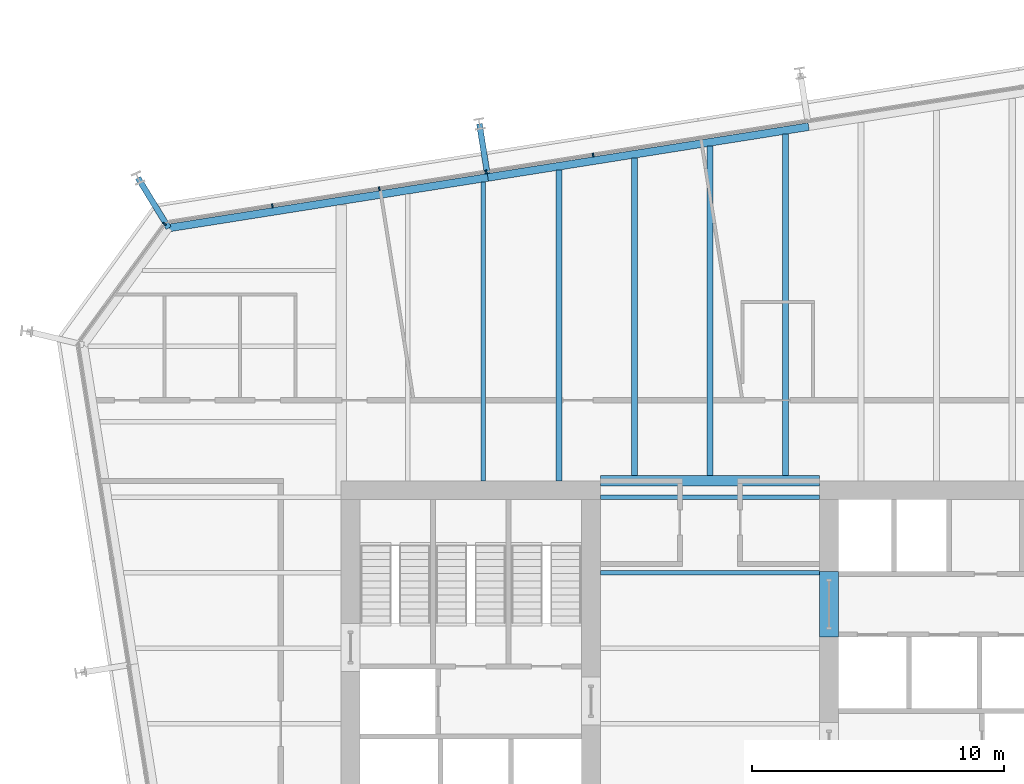
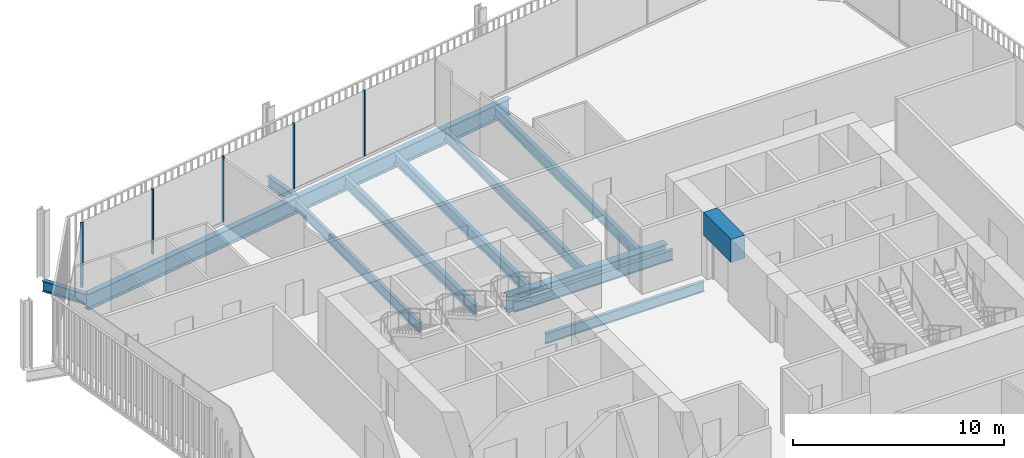
# One storey, part 11 of 21: 13 beams, 5 members, 2 elements without a shape of their own.
"""IFC4 building model written with IfcOpenShell, lengths in metres."""

from ifc_helpers import new_model, si_unit, direction, frame, origin, origin_2d, place, context, subcontext, project, spatial, rectangle, i_section, extrude, material, layer, layer_set, material_profile, profile_set, type_object, element, aggregate, save


model = new_model("IFC4")

# Units and contexts
model_context = context("Model", 3, precision=1e-05, world=origin(), true_north=direction((0.0, 1.0)))
body_context = subcontext(model_context, "Body", "Model", "MODEL_VIEW")
ifc_project = project(units=[si_unit("LENGTHUNIT", "METRE"), si_unit("AREAUNIT", "SQUARE_METRE"), si_unit("VOLUMEUNIT", "CUBIC_METRE"), si_unit("PLANEANGLEUNIT", "RADIAN"), si_unit("MASSUNIT", "GRAM", prefix="KILO")], contexts=[model_context])

# Site, building, storey
site_placement = place(None, origin())
site = spatial("IfcSite", under=ifc_project, at=site_placement, CompositionType="ELEMENT")
building_placement = place(site_placement, origin())
building = spatial("IfcBuilding", under=site, at=building_placement, Name="Millrace Tower", CompositionType="ELEMENT")
storey_placement = place(building_placement, frame((0.0, 0.0, 133.39990234375)))
storey = spatial("IfcBuildingStorey", under=building, at=storey_placement, Name="L29", CompositionType="ELEMENT", Elevation=133.39990234375)

# Curtain wall, members
ifc_material_1 = material(Name="Aluminium and glass", Category="aluminium")
ifc_layer = layer(ifc_material_1, 0.14990234375)
ifc_layer_set = layer_set([ifc_layer], Name="Aluminium and glass")
curtain_wall_type = type_object("IfcCurtainWallType", Name="CW-1 office vision curtain wall", PredefinedType="NOTDEFINED", material=ifc_layer_set)
placement = place(storey_placement, origin())
curtain_wall_1 = element("IfcCurtainWall", 1, at=placement, inside=storey, type_object=curtain_wall_type, Name="Curtain wall C-F06 L29", PredefinedType="NOTDEFINED")
ifc_material_2 = material(Name="Aluminium", Category="aluminium")
ifc_material_profile_1 = material_profile(ifc_material_2, rectangle(XDim=0.06494140625, YDim=0.14990234375, at=origin_2d()))
ifc_profile_set_1 = profile_set([ifc_material_profile_1], Name="Aluminium")
member_type = type_object("IfcMemberType", Name="CW-1 office vision curtain wall mullion", PredefinedType="MULLION", material=ifc_profile_set_1)
member_1_placement = place(storey_placement, frame((-4.6435546875, 22.59326171875, 0.14013671875), z_axis=(0.0, 0.0, 1.0), x_axis=(-0.98768833929, -0.15643447328, 0.0)))
member_1 = element("IfcMember", 2, at=member_1_placement, type_object=member_type, Name="CW1 mullion C-F06.6", PredefinedType="MULLION", context=body_context, shape_type="SweptSolid", body=[
    extrude(rectangle(XDim=0.06494140625, YDim=0.14990234375, at=origin_2d()), origin(), (0.0, 0.0, 1.0), 3.760009765625),
])
member_2_placement = place(storey_placement, frame((-8.890625, 21.920654296875, 0.14013671875), z_axis=(0.0, 0.0, 1.0), x_axis=(-0.98768833929, -0.15643447328, 0.0)))
member_2 = element("IfcMember", 3, at=member_2_placement, type_object=member_type, Name="CW1 mullion C-F06.7", PredefinedType="MULLION", context=body_context, shape_type="SweptSolid", body=[
    extrude(rectangle(XDim=0.06494140625, YDim=0.14990234375, at=origin_2d()), origin(), (0.0, 0.0, 1.0), 3.760009765625),
])
member_3_placement = place(storey_placement, frame((-13.1376953125, 21.248046875, 0.14013671875), z_axis=(0.0, 0.0, 1.0), x_axis=(-0.98768833929, -0.15643447328, 0.0)))
member_3 = element("IfcMember", 4, at=member_3_placement, type_object=member_type, Name="CW1 mullion C-F06.8", PredefinedType="MULLION", context=body_context, shape_type="SweptSolid", body=[
    extrude(rectangle(XDim=0.06494140625, YDim=0.14990234375, at=origin_2d()), origin(), (0.0, 0.0, 1.0), 3.760009765625),
])
member_4_placement = place(storey_placement, frame((-17.384765625, 20.575439453125, 0.14013671875), z_axis=(0.0, 0.0, 1.0), x_axis=(-0.98768833929, -0.15643447328, 0.0)))
member_4 = element("IfcMember", 5, at=member_4_placement, type_object=member_type, Name="CW1 mullion C-F06.9", PredefinedType="MULLION", context=body_context, shape_type="SweptSolid", body=[
    extrude(rectangle(XDim=0.06494140625, YDim=0.14990234375, at=origin_2d()), origin(), (0.0, 0.0, 1.0), 3.760009765625),
])
aggregate(curtain_wall_1, [member_1, member_2, member_3, member_4])

# Curtain wall, member
curtain_wall_2 = element("IfcCurtainWall", 6, at=placement, inside=storey, type_object=curtain_wall_type, Name="Curtain wall C-F07 L29", PredefinedType="NOTDEFINED")
member_5_placement = place(storey_placement, frame((-21.667724609375, 19.8515625, 0.14013671875), z_axis=(0.0, 0.0, 1.0), x_axis=(-0.587785269844, -0.809016981623, 0.0)))
member_5 = element("IfcMember", 7, at=member_5_placement, type_object=member_type, Name="CW1 mullion C-F07.1", PredefinedType="MULLION", context=body_context, shape_type="SweptSolid", body=[
    extrude(rectangle(XDim=0.06494140625, YDim=0.14990234375, at=origin_2d()), origin(), (0.0, 0.0, 1.0), 3.760009765625),
])
aggregate(curtain_wall_2, [member_5])

# Beams
ifc_material_3 = material(Name="Concrete C70", Category="concrete")
ifc_material_profile_2 = material_profile(ifc_material_3, rectangle(XDim=0.75, YDim=1.340087890625, at=origin_2d()))
ifc_profile_set_2 = profile_set([ifc_material_profile_2], Name="Concrete C70")
beam_type_1 = type_object("IfcBeamType", Name="Coupling beam 750 x 1340 Concrete C70, 2000 opening", PredefinedType="BEAM", material=ifc_profile_set_2)
beam_1_placement = place(storey_placement, frame((4.72509765625, 6.050048828125, 3.070068359375), z_axis=(0.0, -1.0, 0.0), x_axis=(1.0, 0.0, 0.0)))
element("IfcBeam", 8, at=beam_1_placement, inside=storey, type_object=beam_type_1, Name="Coupling beam E L29", PredefinedType="BEAM", context=body_context, shape_type="SweptSolid", body=[
    extrude(rectangle(XDim=0.75, YDim=1.340087890625, at=origin_2d()), origin(), (0.0, 0.0, 1.0), 2.60009765625),
])
ifc_material_4 = material(Name="Steel ASTM A992 Grade 50", Category="steel")
ifc_material_profile_3 = material_profile(ifc_material_4, i_section(OverallWidth=0.177978515625, OverallDepth=0.599365234375, WebThickness=0.010009765625, FlangeThickness=0.012939453125, FilletRadius=0.012939453125, at=origin_2d()))
ifc_profile_set_3 = profile_set([ifc_material_profile_3], Name="Steel ASTM A992 Grade 50")
beam_type_2 = type_object("IfcBeamType", Name="Floor beam W24x55", PredefinedType="JOIST", material=ifc_profile_set_3)
for number, where, z_axis, x_axis, name in (
    (9, (-4.35009765625, 6.0, -0.459716796875), (1.0, 0.0, 0.0), (0.0, 1.0, 0.0), "BM-C-L29-S1-S025"),
    (10, (-4.35009765625, 9.0, -0.459716796875), (1.0, 0.0, 0.0), (0.0, 1.0, 0.0), "BM-C-L29-S1-S028"),
):
    element("IfcBeam", number, at=place(storey_placement, frame(where, z_axis=z_axis, x_axis=x_axis)), inside=storey, type_object=beam_type_2, Name=name, PredefinedType="JOIST", context=body_context, shape_type="SweptSolid", body=[
        extrude(i_section(OverallWidth=0.177978515625, OverallDepth=0.599365234375, WebThickness=0.010009765625, FlangeThickness=0.012939453125, FilletRadius=0.012939453125, at=origin_2d()), origin(), (0.0, 0.0, 1.0), 8.7001953125),
    ])
ifc_material_5 = material(Name="Steel ASTM A992 Grade 50", Category="steel")
ifc_material_profile_4 = material_profile(ifc_material_5, i_section(OverallWidth=0.1787109375, OverallDepth=0.60205078125, WebThickness=0.010986328125, FlangeThickness=0.014892578125, FilletRadius=0.0126953125, at=origin_2d()))
ifc_profile_set_4 = profile_set([ifc_material_profile_4], Name="Steel ASTM A992 Grade 50")
beam_type_3 = type_object("IfcBeamType", Name="Floor beam W24x62", PredefinedType="JOIST", material=ifc_profile_set_4)
beam_2_placement = place(storey_placement, frame((-9.0, 9.64990234375, -0.4609375), z_axis=(0.0, 1.0, 0.0), x_axis=(-1.0, 0.0, 0.0)))
element("IfcBeam", 11, at=beam_2_placement, inside=storey, type_object=beam_type_3, Name="BM-C-L29-S1-S041", PredefinedType="JOIST", context=body_context, shape_type="SweptSolid", body=[
    extrude(i_section(OverallWidth=0.1787109375, OverallDepth=0.60205078125, WebThickness=0.010986328125, FlangeThickness=0.014892578125, FilletRadius=0.0126953125, at=origin_2d()), origin(), (0.0, 0.0, 1.0), 11.866455078125),
])
ifc_material_6 = material(Name="Steel ASTM A992 Grade 50", Category="steel")
ifc_material_profile_5 = material_profile(ifc_material_6, i_section(OverallWidth=0.228271484375, OverallDepth=0.607177734375, WebThickness=0.01123046875, FlangeThickness=0.017333984375, FilletRadius=0.0126953125, at=origin_2d()))
ifc_profile_set_5 = profile_set([ifc_material_profile_5], Name="Steel ASTM A992 Grade 50")
beam_type_4 = type_object("IfcBeamType", Name="Floor beam W24x76", PredefinedType="JOIST", material=ifc_profile_set_5)
beam_3_placement = place(storey_placement, frame((-6.0, 9.64990234375, -0.46337890625), z_axis=(0.0, 1.0, 0.0), x_axis=(-1.0, 0.0, 0.0)))
element("IfcBeam", 12, at=beam_3_placement, inside=storey, type_object=beam_type_4, Name="BM-C-L29-S1-S043", PredefinedType="JOIST", context=body_context, shape_type="SweptSolid", body=[
    extrude(i_section(OverallWidth=0.228271484375, OverallDepth=0.607177734375, WebThickness=0.01123046875, FlangeThickness=0.017333984375, FilletRadius=0.0126953125, at=origin_2d()), origin(), (0.0, 0.0, 1.0), 12.341552734375),
])
beam_4_placement = place(storey_placement, frame((-3.0, 9.859619140625, -0.46337890625), z_axis=(0.0, 1.0, 0.0), x_axis=(-1.0, 0.0, 0.0)))
element("IfcBeam", 13, at=beam_4_placement, inside=storey, type_object=beam_type_4, Name="BM-C-L29-S1-S045", PredefinedType="JOIST", context=body_context, shape_type="SweptSolid", body=[
    extrude(i_section(OverallWidth=0.228271484375, OverallDepth=0.607177734375, WebThickness=0.01123046875, FlangeThickness=0.017333984375, FilletRadius=0.0126953125, at=origin_2d()), origin(), (0.0, 0.0, 1.0), 12.60693359375),
])
beam_5_placement = place(storey_placement, frame((0.0, 9.859619140625, -0.46337890625), z_axis=(0.0, 1.0, 0.0), x_axis=(-1.0, 0.0, 0.0)))
element("IfcBeam", 14, at=beam_5_placement, inside=storey, type_object=beam_type_4, Name="BM-C-L29-S1-S047", PredefinedType="JOIST", context=body_context, shape_type="SweptSolid", body=[
    extrude(i_section(OverallWidth=0.228271484375, OverallDepth=0.607177734375, WebThickness=0.01123046875, FlangeThickness=0.017333984375, FilletRadius=0.0126953125, at=origin_2d()), origin(), (0.0, 0.0, 1.0), 13.08203125),
])
beam_6_placement = place(storey_placement, frame((3.0, 9.859619140625, -0.46337890625), z_axis=(0.0, 1.0, 0.0), x_axis=(-1.0, 0.0, 0.0)))
element("IfcBeam", 15, at=beam_6_placement, inside=storey, type_object=beam_type_4, Name="BM-C-L29-S1-S049", PredefinedType="JOIST", context=body_context, shape_type="SweptSolid", body=[
    extrude(i_section(OverallWidth=0.228271484375, OverallDepth=0.607177734375, WebThickness=0.01123046875, FlangeThickness=0.017333984375, FilletRadius=0.0126953125, at=origin_2d()), origin(), (0.0, 0.0, 1.0), 13.55712890625),
])
ifc_material_7 = material(Name="Steel ASTM A992 Grade 50", Category="steel")
ifc_material_profile_6 = material_profile(ifc_material_7, i_section(OverallWidth=0.419189453125, OverallDepth=0.927001953125, WebThickness=0.019287109375, FlangeThickness=0.031982421875, FilletRadius=0.024169921875, at=origin_2d()))
ifc_profile_set_6 = profile_set([ifc_material_profile_6], Name="Steel ASTM A992 Grade 50")
beam_type_5 = type_object("IfcBeamType", Name="Girder short span W36x231", PredefinedType="BEAM", material=ifc_profile_set_6)
beam_7_placement = place(storey_placement, frame((-4.35009765625, 9.64990234375, -0.62353515625), z_axis=(1.0, 0.0, 0.0), x_axis=(0.0, 1.0, 0.0)))
element("IfcBeam", 16, at=beam_7_placement, inside=storey, type_object=beam_type_5, Name="BM-C-L29-S1-G061", PredefinedType="BEAM", context=body_context, shape_type="SweptSolid", body=[
    extrude(i_section(OverallWidth=0.419189453125, OverallDepth=0.927001953125, WebThickness=0.019287109375, FlangeThickness=0.031982421875, FilletRadius=0.024169921875, at=origin_2d()), origin(), (0.0, 0.0, 1.0), 8.7001953125),
])
ifc_material_8 = material(Name="Steel ASTM A992 Grade 50", Category="steel")
ifc_material_profile_7 = material_profile(ifc_material_8, i_section(OverallWidth=0.23046875, OverallDepth=0.6171875, WebThickness=0.01318359375, FlangeThickness=0.022216796875, FilletRadius=0.012939453125, at=origin_2d()))
ifc_profile_set_7 = profile_set([ifc_material_profile_7], Name="Steel ASTM A992 Grade 50")
beam_type_6 = type_object("IfcBeamType", Name="Link beam W24x94", PredefinedType="BEAM", material=ifc_profile_set_7)
beam_8_placement = place(storey_placement, frame((-21.5009765625, 19.69189453125, -0.468505859375), z_axis=(-0.522512938711, 0.852631355792, 0.0), x_axis=(-0.852631355792, -0.522512938711, 0.0)))
element("IfcBeam", 17, at=beam_8_placement, inside=storey, type_object=beam_type_6, Name="LNK-C-L29-S1-05", PredefinedType="BEAM", context=body_context, shape_type="SweptSolid", body=[
    extrude(i_section(OverallWidth=0.23046875, OverallDepth=0.6171875, WebThickness=0.01318359375, FlangeThickness=0.022216796875, FilletRadius=0.012939453125, at=origin_2d()), origin(), (0.0, 0.0, 1.0), 2.3310546875),
])
beam_9_placement = place(storey_placement, frame((-8.8466796875, 21.8515625, -0.468505859375), z_axis=(-0.156476509441, 0.987681680499, 0.0), x_axis=(-0.987681680499, -0.156476509441, 0.0)))
element("IfcBeam", 18, at=beam_9_placement, inside=storey, type_object=beam_type_6, Name="LNK-C-L29-S1-06", PredefinedType="BEAM", context=body_context, shape_type="SweptSolid", body=[
    extrude(i_section(OverallWidth=0.23046875, OverallDepth=0.6171875, WebThickness=0.01318359375, FlangeThickness=0.022216796875, FilletRadius=0.012939453125, at=origin_2d()), origin(), (0.0, 0.0, 1.0), 2.000244140625),
])
ifc_material_9 = material(Name="Steel ASTM A992 Grade 50", Category="steel")
ifc_material_profile_8 = material_profile(ifc_material_9, i_section(OverallWidth=0.307373046875, OverallDepth=0.927001953125, WebThickness=0.01953125, FlangeThickness=0.031982421875, FilletRadius=0.01904296875, at=origin_2d()))
ifc_profile_set_8 = profile_set([ifc_material_profile_8], Name="Steel ASTM A992 Grade 50")
beam_type_7 = type_object("IfcBeamType", Name="Ring beam medium span W36x194", PredefinedType="SPANDREL", material=ifc_profile_set_8)
beam_10_placement = place(storey_placement, frame((-21.5009765625, 19.69189453125, -0.62353515625), z_axis=(0.987688058438, 0.156436246498, 0.0), x_axis=(-0.156436246498, 0.987688058438, 0.0)))
element("IfcBeam", 19, at=beam_10_placement, inside=storey, type_object=beam_type_7, Name="RNG-C-L29-S1-05", PredefinedType="SPANDREL", context=body_context, shape_type="SweptSolid", body=[
    extrude(i_section(OverallWidth=0.307373046875, OverallDepth=0.927001953125, WebThickness=0.01953125, FlangeThickness=0.031982421875, FilletRadius=0.01904296875, at=origin_2d()), origin(), (0.0, 0.0, 1.0), 12.836181640625),
])
beam_11_placement = place(storey_placement, frame((-8.82275390625, 21.699951171875, -0.62353515625), z_axis=(0.987687659758, 0.156438763615, 0.0), x_axis=(-0.156438763615, 0.987687659758, 0.0)))
element("IfcBeam", 20, at=beam_11_placement, inside=storey, type_object=beam_type_7, Name="RNG-C-L29-S1-06", PredefinedType="SPANDREL", context=body_context, shape_type="SweptSolid", body=[
    extrude(i_section(OverallWidth=0.307373046875, OverallDepth=0.927001953125, WebThickness=0.01953125, FlangeThickness=0.031982421875, FilletRadius=0.01904296875, at=origin_2d()), origin(), (0.0, 0.0, 1.0), 12.900146484375),
])

save(model, "model.ifc")
